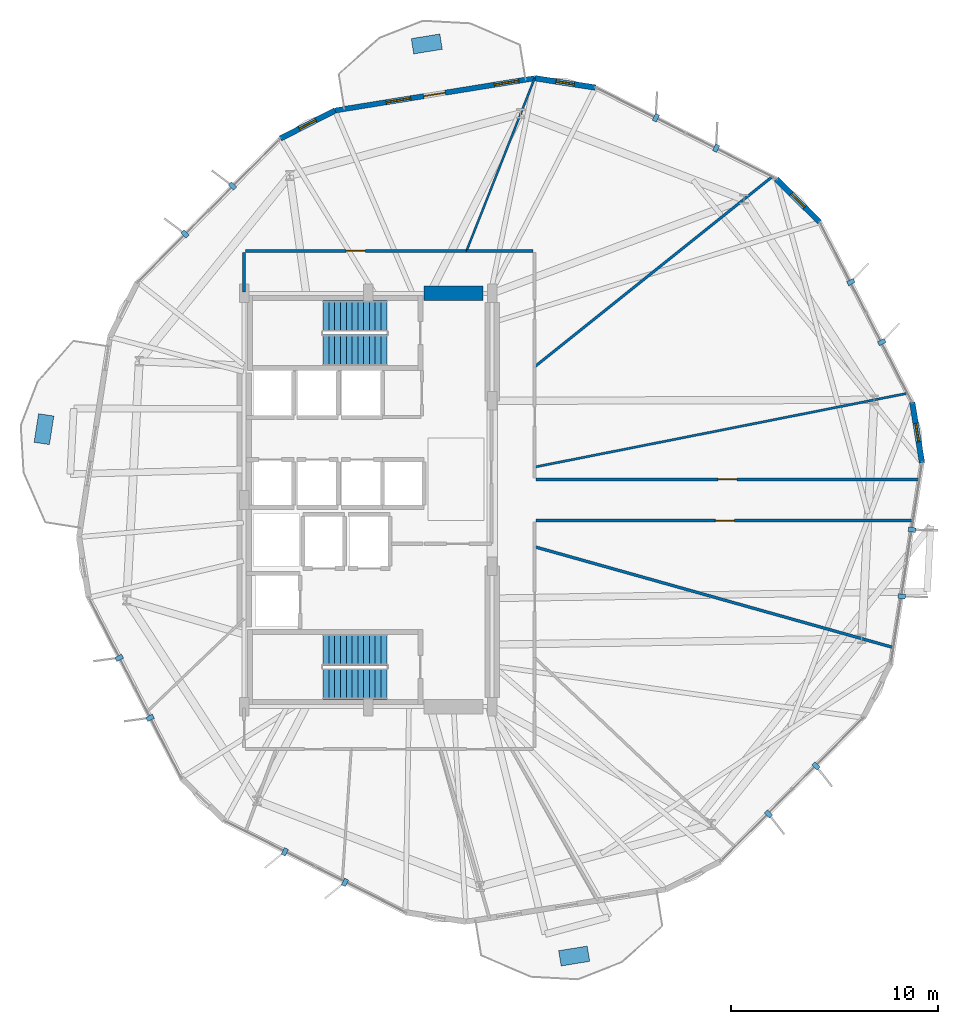
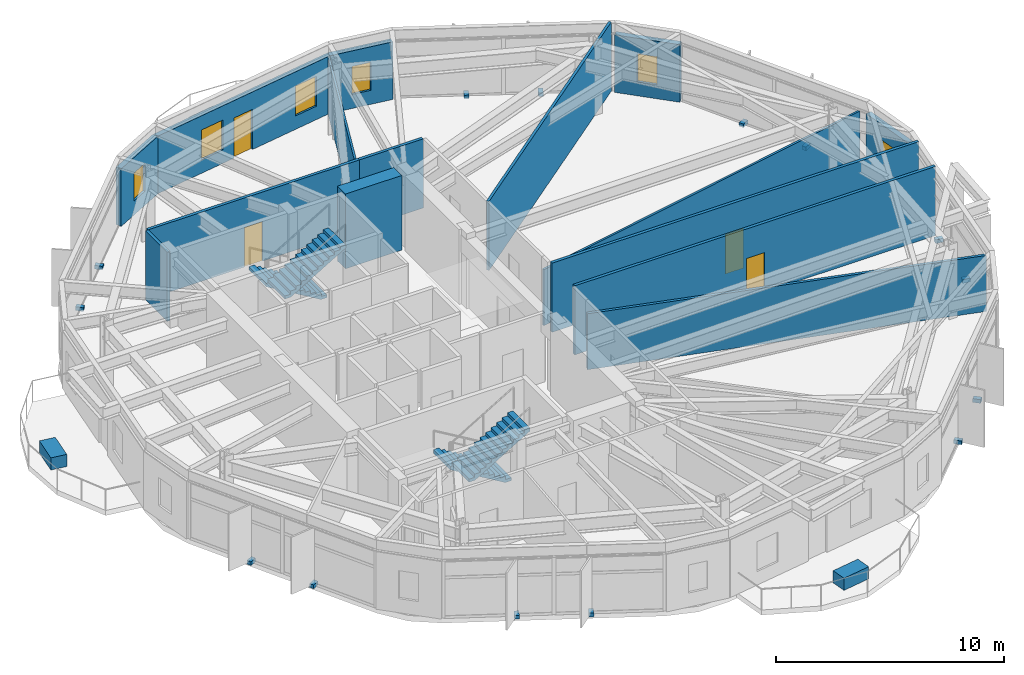
# One storey, part 20 of 23: 17 discrete accessories, 15 walls, 6 windows, 4 doors, 4 stair flights, 10 openings, 2 elements without a shape of their own.
"""IFC4 building model written with IfcOpenShell, lengths in metres."""

from ifc_helpers import new_model, si_unit, direction, frame, frame_2d, origin, origin_2d, place, context, subcontext, project, spatial, polyline, rectangle, outline, extrude, material, layer, layer_set, type_object, element, fill, aggregate, save


model = new_model("IFC4")

# Units and contexts
model_context = context("Model", 3, precision=1e-05, world=origin(), true_north=direction((0.0, 1.0)))
body_context = subcontext(model_context, "Body", "Model", "MODEL_VIEW")
ifc_project = project(units=[si_unit("LENGTHUNIT", "METRE"), si_unit("AREAUNIT", "SQUARE_METRE"), si_unit("VOLUMEUNIT", "CUBIC_METRE"), si_unit("PLANEANGLEUNIT", "RADIAN"), si_unit("MASSUNIT", "GRAM", prefix="KILO")], contexts=[model_context])

# Site, building, storey
site_placement = place(None, origin())
site = spatial("IfcSite", under=ifc_project, at=site_placement, CompositionType="ELEMENT")
building_placement = place(site_placement, origin())
building = spatial("IfcBuilding", under=site, at=building_placement, Name="Soratama Intermodal Tower", CompositionType="ELEMENT")
storey_placement = place(building_placement, frame((0.0, 0.0, 62.60009765625)))
storey = spatial("IfcBuildingStorey", under=building, at=storey_placement, Name="L14", CompositionType="ELEMENT", Elevation=62.60009765625)

# Wall, openings, door, windows
ifc_material_1 = material(Name="Concrete f'c 42 MPa", Category="concrete")
ifc_layer_1 = layer(ifc_material_1, 0.25)
ifc_layer_set_1 = layer_set([ifc_layer_1], Name="Concrete f'c 42 MPa")
wall_type_1 = type_object("IfcWallType", Name="EW-BAL-250", PredefinedType="SOLIDWALL", material=ifc_layer_set_1)
wall_1_placement = place(storey_placement, frame((46.66552734375, 45.40771484375, 0.0), z_axis=(0.0, 0.0, 1.0), x_axis=(-0.987191297579, -0.159541035424, 0.0)))
wall_1 = element("IfcWall", 1, at=wall_1_placement, inside=storey, type_object=wall_type_1, Name="L14 Terrace Wall F03", PredefinedType="SOLIDWALL", context=body_context, shape_type="SweptSolid", body=[
    extrude(rectangle(XDim=9.7998046875, YDim=0.25, at=frame_2d((4.89990234375, 0.0))), origin(), (0.0, 0.0, 1.0), 3.078857421875),
])
opening_1_placement = place(wall_1_placement, frame((4.39990234375, 0.0, 0.0)))
opening_1 = element("IfcOpeningElement", 2, at=opening_1_placement, cuts=wall_1, Name="Opening ED-5", PredefinedType="OPENING", context=body_context, shape_type="SweptSolid", body=[
    extrude(rectangle(XDim=1.050048828125, YDim=2.14990234375, at=frame_2d((0.52490234375, 1.074951171875))), frame((0.0, 0.135009765625, 0.0), z_axis=(0.0, -1.0, 0.0), x_axis=(1.0, 0.0, 0.0)), (0.0, 0.0, 1.0), 0.27001953125),
])
opening_2_placement = place(wall_1_placement, frame((0.793212890625, 0.0, 0.719970703125)))
opening_2 = element("IfcOpeningElement", 3, at=opening_2_placement, cuts=wall_1, Name="Opening WN-2", PredefinedType="OPENING", context=body_context, shape_type="SweptSolid", body=[
    extrude(rectangle(XDim=1.199951171875, YDim=1.60009765625, at=frame_2d((0.60009765625, 0.800048828125))), frame((0.0, 0.135009765625, 0.0), z_axis=(0.0, -1.0, 0.0), x_axis=(1.0, 0.0, 0.0)), (0.0, 0.0, 1.0), 0.27001953125),
])
opening_3_placement = place(wall_1_placement, frame((6.090087890625, 0.0, 0.719970703125)))
opening_3 = element("IfcOpeningElement", 4, at=opening_3_placement, cuts=wall_1, Name="Opening WN-2", PredefinedType="OPENING", context=body_context, shape_type="SweptSolid", body=[
    extrude(rectangle(XDim=1.199951171875, YDim=1.60009765625, at=frame_2d((0.60009765625, 0.800048828125))), frame((0.0, 0.135009765625, 0.0), z_axis=(0.0, -1.0, 0.0), x_axis=(1.0, 0.0, 0.0)), (0.0, 0.0, 1.0), 0.27001953125),
])
ifc_material_2 = material(Name="Double-glazed aluminium door", Category="aluminium")
door_type_1 = type_object("IfcDoorType", Name="DR-BAL-1050", OperationType="NOTDEFINED", PredefinedType="DOOR", material=ifc_material_2)
door_1_placement = place(opening_1_placement, origin())
door_1 = element("IfcDoor", 5, at=door_1_placement, inside=storey, type_object=door_type_1, Name="L14 Balcony Door F03", OperationType="SINGLE_SWING_LEFT", OverallHeight=2.14990234375, OverallWidth=1.050048828125, PredefinedType="DOOR", context=body_context, shape_type="SweptSolid", body=[
    extrude(rectangle(XDim=1.050048828125, YDim=2.14990234375, at=frame_2d((0.52490234375, 1.074951171875))), frame((0.0, 0.02490234375, 0.0), z_axis=(0.0, -1.0, 0.0), x_axis=(1.0, 0.0, 0.0)), (0.0, 0.0, 1.0), 0.050048828125),
])
fill(opening_1, door_1)
ifc_material_3 = material(Name="Double-glazed aluminium window", Category="aluminium")
window_type_1 = type_object("IfcWindowType", Name="WN-FAC-1200", PartitioningType="SINGLE_PANEL", PredefinedType="WINDOW", material=ifc_material_3)
window_1_placement = place(opening_2_placement, origin())
window_1 = element("IfcWindow", 6, at=window_1_placement, inside=storey, type_object=window_type_1, Name="L14 Window A F03", OverallHeight=1.60009765625, OverallWidth=1.199951171875, PartitioningType="SINGLE_PANEL", PredefinedType="WINDOW", context=body_context, shape_type="SweptSolid", body=[
    extrude(rectangle(XDim=1.199951171875, YDim=1.60009765625, at=frame_2d((0.60009765625, 0.800048828125))), frame((0.0, 0.030029296875, 0.0), z_axis=(0.0, -1.0, 0.0), x_axis=(1.0, 0.0, 0.0)), (0.0, 0.0, 1.0), 0.06005859375),
])
fill(opening_2, window_1)
window_2_placement = place(opening_3_placement, origin())
window_2 = element("IfcWindow", 7, at=window_2_placement, inside=storey, type_object=window_type_1, Name="L14 Window B F03", OverallHeight=1.60009765625, OverallWidth=1.199951171875, PartitioningType="SINGLE_PANEL", PredefinedType="WINDOW", context=body_context, shape_type="SweptSolid", body=[
    extrude(rectangle(XDim=1.199951171875, YDim=1.60009765625, at=frame_2d((0.60009765625, 0.800048828125))), frame((0.0, 0.030029296875, 0.0), z_axis=(0.0, -1.0, 0.0), x_axis=(1.0, 0.0, 0.0)), (0.0, 0.0, 1.0), 0.06005859375),
])
fill(opening_3, window_2)

# Wall, opening, window
ifc_material_4 = material(Name="Concrete f'c 42 MPa", Category="concrete")
ifc_layer_2 = layer(ifc_material_4, 0.27001953125)
ifc_layer_set_2 = layer_set([ifc_layer_2], Name="Concrete f'c 42 MPa")
wall_type_2 = type_object("IfcWallType", Name="EW-CRN-270", PredefinedType="SOLIDWALL", material=ifc_layer_set_2)
wall_2_placement = place(storey_placement, frame((60.447021484375, 38.440185546875, 0.0), z_axis=(0.0, 0.0, 1.0), x_axis=(-0.709325332319, 0.704881247396, 0.0)))
wall_2 = element("IfcWall", 8, at=wall_2_placement, inside=storey, type_object=wall_type_2, Name="L14 Corner Closure Wall 01", PredefinedType="SOLIDWALL", context=body_context, shape_type="SweptSolid", body=[
    extrude(rectangle(XDim=2.966552734375, YDim=0.27001953125, at=frame_2d((1.4833984375, 0.0))), origin(), (0.0, 0.0, 1.0), 3.078857421875),
])
opening_4_placement = place(wall_2_placement, frame((1.033203125, 0.0, 0.75)))
opening_4 = element("IfcOpeningElement", 9, at=opening_4_placement, cuts=wall_2, Name="Opening WN-6", PredefinedType="OPENING", context=body_context, shape_type="SweptSolid", body=[
    extrude(rectangle(XDim=0.89990234375, YDim=1.5, at=frame_2d((0.449951171875, 0.75))), frame((0.0, 0.14501953125, 0.0), z_axis=(0.0, -1.0, 0.0), x_axis=(1.0, 0.0, 0.0)), (0.0, 0.0, 1.0), 0.2900390625),
])
ifc_material_5 = material(Name="Double-glazed aluminium window", Category="aluminium")
window_type_2 = type_object("IfcWindowType", Name="WN-FAC-900", PartitioningType="SINGLE_PANEL", PredefinedType="WINDOW", material=ifc_material_5)
window_3_placement = place(opening_4_placement, origin())
window_3 = element("IfcWindow", 10, at=window_3_placement, inside=storey, type_object=window_type_2, Name="L14 Corner Window 01", OverallHeight=1.5, OverallWidth=0.89990234375, PartitioningType="SINGLE_PANEL", PredefinedType="WINDOW", context=body_context, shape_type="SweptSolid", body=[
    extrude(rectangle(XDim=0.89990234375, YDim=1.5, at=frame_2d((0.449951171875, 0.75))), frame((0.0, 0.030029296875, 0.0), z_axis=(0.0, -1.0, 0.0), x_axis=(1.0, 0.0, 0.0)), (0.0, 0.0, 1.0), 0.06005859375),
])
fill(opening_4, window_3)

wall_3_placement = place(storey_placement, frame((49.596923828125, 44.952880859375, 0.0), z_axis=(0.0, 0.0, 1.0), x_axis=(-0.988175838345, 0.153324859402, 0.0)))
wall_3 = element("IfcWall", 11, at=wall_3_placement, inside=storey, type_object=wall_type_2, Name="L14 Corner Closure Wall 02", PredefinedType="SOLIDWALL", context=body_context, shape_type="SweptSolid", body=[
    extrude(rectangle(XDim=2.966552734375, YDim=0.27001953125, at=frame_2d((1.4833984375, 0.0))), origin(), (0.0, 0.0, 1.0), 3.078857421875),
])
opening_5_placement = place(wall_3_placement, frame((1.033203125, 0.0, 0.75)))
opening_5 = element("IfcOpeningElement", 12, at=opening_5_placement, cuts=wall_3, Name="Opening WN-6", PredefinedType="OPENING", context=body_context, shape_type="SweptSolid", body=[
    extrude(rectangle(XDim=0.89990234375, YDim=1.5, at=frame_2d((0.449951171875, 0.75))), frame((0.0, 0.14501953125, 0.0), z_axis=(0.0, -1.0, 0.0), x_axis=(1.0, 0.0, 0.0)), (0.0, 0.0, 1.0), 0.2900390625),
])
window_4_placement = place(opening_5_placement, origin())
window_4 = element("IfcWindow", 13, at=window_4_placement, inside=storey, type_object=window_type_2, Name="L14 Corner Window 02", OverallHeight=1.5, OverallWidth=0.89990234375, PartitioningType="SINGLE_PANEL", PredefinedType="WINDOW", context=body_context, shape_type="SweptSolid", body=[
    extrude(rectangle(XDim=0.89990234375, YDim=1.5, at=frame_2d((0.449951171875, 0.75))), frame((0.0, 0.030029296875, 0.0), z_axis=(0.0, -1.0, 0.0), x_axis=(1.0, 0.0, 0.0)), (0.0, 0.0, 1.0), 0.06005859375),
])
fill(opening_5, window_4)

wall_4_placement = place(storey_placement, frame((36.9912109375, 43.84423828125, 0.0), z_axis=(0.0, 0.0, 1.0), x_axis=(-0.889603167839, -0.456734281361, 0.0)))
wall_4 = element("IfcWall", 14, at=wall_4_placement, inside=storey, type_object=wall_type_2, Name="L14 Corner Closure Wall 03", PredefinedType="SOLIDWALL", context=body_context, shape_type="SweptSolid", body=[
    extrude(rectangle(XDim=2.966552734375, YDim=0.27001953125, at=frame_2d((1.4833984375, 0.0))), origin(), (0.0, 0.0, 1.0), 3.078857421875),
])
opening_6_placement = place(wall_4_placement, frame((1.033203125, 0.0, 0.75)))
opening_6 = element("IfcOpeningElement", 15, at=opening_6_placement, cuts=wall_4, Name="Opening WN-6", PredefinedType="OPENING", context=body_context, shape_type="SweptSolid", body=[
    extrude(rectangle(XDim=0.89990234375, YDim=1.5, at=frame_2d((0.449951171875, 0.75))), frame((0.0, 0.14501953125, 0.0), z_axis=(0.0, -1.0, 0.0), x_axis=(1.0, 0.0, 0.0)), (0.0, 0.0, 1.0), 0.2900390625),
])
window_5_placement = place(opening_6_placement, origin())
window_5 = element("IfcWindow", 16, at=window_5_placement, inside=storey, type_object=window_type_2, Name="L14 Corner Window 03", OverallHeight=1.5, OverallWidth=0.89990234375, PartitioningType="SINGLE_PANEL", PredefinedType="WINDOW", context=body_context, shape_type="SweptSolid", body=[
    extrude(rectangle(XDim=0.89990234375, YDim=1.5, at=frame_2d((0.449951171875, 0.75))), frame((0.0, 0.030029296875, 0.0), z_axis=(0.0, -1.0, 0.0), x_axis=(1.0, 0.0, 0.0)), (0.0, 0.0, 1.0), 0.06005859375),
])
fill(opening_6, window_5)

wall_5_placement = place(storey_placement, frame((65.396728515625, 26.793701171875, 0.0), z_axis=(0.0, 0.0, 1.0), x_axis=(-0.159485992922, 0.987200191482, 0.0)))
wall_5 = element("IfcWall", 17, at=wall_5_placement, inside=storey, type_object=wall_type_2, Name="L14 Corner Closure Wall 10", PredefinedType="SOLIDWALL", context=body_context, shape_type="SweptSolid", body=[
    extrude(rectangle(XDim=2.966796875, YDim=0.27001953125, at=frame_2d((1.4833984375, 0.0))), origin(), (0.0, 0.0, 1.0), 3.078857421875),
])
opening_7_placement = place(wall_5_placement, frame((1.033203125, 0.0, 0.75)))
opening_7 = element("IfcOpeningElement", 18, at=opening_7_placement, cuts=wall_5, Name="Opening WN-6", PredefinedType="OPENING", context=body_context, shape_type="SweptSolid", body=[
    extrude(rectangle(XDim=0.89990234375, YDim=1.5, at=frame_2d((0.449951171875, 0.75))), frame((0.0, 0.14501953125, 0.0), z_axis=(0.0, -1.0, 0.0), x_axis=(1.0, 0.0, 0.0)), (0.0, 0.0, 1.0), 0.2900390625),
])
window_6_placement = place(opening_7_placement, origin())
window_6 = element("IfcWindow", 19, at=window_6_placement, inside=storey, type_object=window_type_2, Name="L14 Corner Window 10", OverallHeight=1.5, OverallWidth=0.89990234375, PartitioningType="SINGLE_PANEL", PredefinedType="WINDOW", context=body_context, shape_type="SweptSolid", body=[
    extrude(rectangle(XDim=0.89990234375, YDim=1.5, at=frame_2d((0.449951171875, 0.75))), frame((0.0, 0.030029296875, 0.0), z_axis=(0.0, -1.0, 0.0), x_axis=(1.0, 0.0, 0.0)), (0.0, 0.0, 1.0), 0.06005859375),
])
fill(opening_7, window_6)

# Wall, opening, door
ifc_material_6 = material(Name="Fire-rated gypsum stud partition", Category="concrete")
ifc_layer_3 = layer(ifc_material_6, 0.14990234375)
ifc_layer_set_3 = layer_set([ifc_layer_3], Name="Fire-rated gypsum stud partition")
wall_type_3 = type_object("IfcWallType", Name="IW-PART-R150", PredefinedType="PARTITIONING", material=ifc_layer_set_3)
wall_6_placement = place(storey_placement, frame((46.719970703125, 26.0, 0.0), z_axis=(0.0, 0.0, 1.0), x_axis=(1.0, 0.0, 0.0)))
wall_6 = element("IfcWall", 20, at=wall_6_placement, inside=storey, type_object=wall_type_3, Name="L14 Partition W-L14-TP001", PredefinedType="PARTITIONING", context=body_context, shape_type="SweptSolid", body=[
    extrude(rectangle(XDim=18.553955078125, YDim=0.14990234375, at=frame_2d((9.27685546875, 0.0))), origin(), (0.0, 0.0, 1.0), 3.699951171875),
])
opening_8_placement = place(wall_6_placement, frame((8.802001953125, 0.0, 0.0)))
opening_8 = element("IfcOpeningElement", 21, at=opening_8_placement, cuts=wall_6, Name="Opening ID-6", PredefinedType="OPENING", context=body_context, shape_type="SweptSolid", body=[
    extrude(rectangle(XDim=0.919921875, YDim=2.1201171875, at=frame_2d((0.4599609375, 1.06005859375))), frame((0.0, 0.0849609375, 0.0), z_axis=(0.0, -1.0, 0.0), x_axis=(1.0, 0.0, 0.0)), (0.0, 0.0, 1.0), 0.169921875),
])
ifc_material_7 = material(Name="Solid hardwood acoustic door", Category="wood")
door_type_2 = type_object("IfcDoorType", Name="DR-ROOM-920", OperationType="NOTDEFINED", PredefinedType="DOOR", material=ifc_material_7)
door_2_placement = place(opening_8_placement, origin())
door_2 = element("IfcDoor", 22, at=door_2_placement, inside=storey, type_object=door_type_2, Name="L14 Door D-L14-TP001", OperationType="SINGLE_SWING_RIGHT", OverallHeight=2.1201171875, OverallWidth=0.919921875, PredefinedType="DOOR", context=body_context, shape_type="SweptSolid", body=[
    extrude(rectangle(XDim=0.919921875, YDim=2.1201171875, at=frame_2d((0.4599609375, 1.06005859375))), frame((0.0, 0.02490234375, 0.0), z_axis=(0.0, -1.0, 0.0), x_axis=(1.0, 0.0, 0.0)), (0.0, 0.0, 1.0), 0.050048828125),
])
fill(opening_8, door_2)

wall_7_placement = place(storey_placement, frame((64.962890625, 24.0, 0.0), z_axis=(0.0, 0.0, 1.0), x_axis=(-1.0, 0.0, 0.0)))
wall_7 = element("IfcWall", 23, at=wall_7_placement, inside=storey, type_object=wall_type_3, Name="L14 Partition W-L14-TP003", PredefinedType="PARTITIONING", context=body_context, shape_type="SweptSolid", body=[
    extrude(rectangle(XDim=18.242919921875, YDim=0.14990234375, at=frame_2d((9.12158203125, 0.0))), origin(), (0.0, 0.0, 1.0), 3.699951171875),
])
opening_9_placement = place(wall_7_placement, frame((8.64599609375, 0.0, 0.0)))
opening_9 = element("IfcOpeningElement", 24, at=opening_9_placement, cuts=wall_7, Name="Opening ID-6", PredefinedType="OPENING", context=body_context, shape_type="SweptSolid", body=[
    extrude(rectangle(XDim=0.919921875, YDim=2.1201171875, at=frame_2d((0.4599609375, 1.06005859375))), frame((0.0, 0.0849609375, 0.0), z_axis=(0.0, -1.0, 0.0), x_axis=(1.0, 0.0, 0.0)), (0.0, 0.0, 1.0), 0.169921875),
])
door_3_placement = place(opening_9_placement, origin())
door_3 = element("IfcDoor", 25, at=door_3_placement, inside=storey, type_object=door_type_2, Name="L14 Door D-L14-TP002", OperationType="SINGLE_SWING_LEFT", OverallHeight=2.1201171875, OverallWidth=0.919921875, PredefinedType="DOOR", context=body_context, shape_type="SweptSolid", body=[
    extrude(rectangle(XDim=0.919921875, YDim=2.1201171875, at=frame_2d((0.4599609375, 1.06005859375))), frame((0.0, 0.02490234375, 0.0), z_axis=(0.0, -1.0, 0.0), x_axis=(1.0, 0.0, 0.0)), (0.0, 0.0, 1.0), 0.050048828125),
])
fill(opening_9, door_3)

wall_8_placement = place(storey_placement, frame((32.669921875, 37.050048828125, 0.0), z_axis=(0.0, 0.0, 1.0), x_axis=(1.0, 0.0, 0.0)))
wall_8 = element("IfcWall", 26, at=wall_8_placement, inside=storey, type_object=wall_type_3, Name="L14 Partition W-L14-TP007", PredefinedType="PARTITIONING", context=body_context, shape_type="SweptSolid", body=[
    extrude(rectangle(XDim=10.68603515625, YDim=0.14990234375, at=frame_2d((5.343017578125, 0.0))), origin(), (0.0, 0.0, 1.0), 3.699951171875),
])
opening_10_placement = place(wall_8_placement, frame((4.867919921875, 0.0, 0.0)))
opening_10 = element("IfcOpeningElement", 27, at=opening_10_placement, cuts=wall_8, Name="Opening ID-6", PredefinedType="OPENING", context=body_context, shape_type="SweptSolid", body=[
    extrude(rectangle(XDim=0.919921875, YDim=2.1201171875, at=frame_2d((0.4599609375, 1.06005859375))), frame((0.0, 0.0849609375, 0.0), z_axis=(0.0, -1.0, 0.0), x_axis=(1.0, 0.0, 0.0)), (0.0, 0.0, 1.0), 0.169921875),
])
door_4_placement = place(opening_10_placement, origin())
door_4 = element("IfcDoor", 28, at=door_4_placement, inside=storey, type_object=door_type_2, Name="L14 Door D-L14-TP003", OperationType="SINGLE_SWING_RIGHT", OverallHeight=2.1201171875, OverallWidth=0.919921875, PredefinedType="DOOR", context=body_context, shape_type="SweptSolid", body=[
    extrude(rectangle(XDim=0.919921875, YDim=2.1201171875, at=frame_2d((0.4599609375, 1.06005859375))), frame((0.0, 0.02490234375, 0.0), z_axis=(0.0, -1.0, 0.0), x_axis=(1.0, 0.0, 0.0)), (0.0, 0.0, 1.0), 0.050048828125),
])
fill(opening_10, door_4)

# Walls
wall_9_placement = place(storey_placement, frame((43.35595703125, 37.050048828125, 0.0), z_axis=(0.0, 0.0, 1.0), x_axis=(1.0, 0.0, 0.0)))
element("IfcWall", 29, at=wall_9_placement, inside=storey, type_object=wall_type_3, Name="L14 Partition W-L14-TP023", PredefinedType="PARTITIONING", context=body_context, shape_type="SweptSolid", body=[
    extrude(rectangle(XDim=3.22412109375, YDim=0.14990234375, at=frame_2d((1.612060546875, 0.0))), origin(), (0.0, 0.0, 1.0), 3.699951171875),
])
wall_10_placement = place(storey_placement, frame((32.60009765625, 35.070068359375, 0.0), z_axis=(0.0, 0.0, 1.0), x_axis=(0.0, 1.0, 0.0)))
element("IfcWall", 30, at=wall_10_placement, inside=storey, type_object=wall_type_3, Name="L14 Partition W-L14-TP026", PredefinedType="PARTITIONING", context=body_context, shape_type="SweptSolid", body=[
    extrude(rectangle(XDim=1.909912109375, YDim=0.14990234375, at=frame_2d((0.955078125, 0.0))), origin(), (0.0, 0.0, 1.0), 3.699951171875),
])
ifc_material_8 = material(Name="Fire-rated gypsum stud partition", Category="concrete")
ifc_layer_4 = layer(ifc_material_8, 0.10009765625)
ifc_layer_set_4 = layer_set([ifc_layer_4], Name="Fire-rated gypsum stud partition")
wall_type_4 = type_object("IfcWallType", Name="IW-PART-S100", PredefinedType="PARTITIONING", material=ifc_layer_set_4)
wall_11_placement = place(storey_placement, frame((43.35595703125, 37.050048828125, 0.0), z_axis=(0.0, 0.0, 1.0), x_axis=(0.367230883779, 0.930129817821, 0.0)))
element("IfcWall", 31, at=wall_11_placement, inside=storey, type_object=wall_type_4, Name="L14 Partition W-L14-TP008", PredefinedType="PARTITIONING", context=body_context, shape_type="SweptSolid", body=[
    extrude(rectangle(XDim=8.983642578125, YDim=0.10009765625, at=frame_2d((4.49169921875, 0.0))), origin(), (0.0, 0.0, 1.0), 2.994873046875),
])
ifc_material_9 = material(Name="Fire-rated gypsum stud partition", Category="concrete")
ifc_layer_5 = layer(ifc_material_9, 0.110107421875)
ifc_layer_set_5 = layer_set([ifc_layer_5], Name="Fire-rated gypsum stud partition")
wall_type_5 = type_object("IfcWallType", Name="IW-PART-S110", PredefinedType="PARTITIONING", material=ifc_layer_set_5)
wall_12_placement = place(storey_placement, frame((46.64990234375, 26.593017578125, 0.0), z_axis=(0.0, 0.0, 1.0), x_axis=(0.980979806003, 0.194109814835, 0.0)))
element("IfcWall", 32, at=wall_12_placement, inside=storey, type_object=wall_type_5, Name="L14 Partition W-L14-TP002", PredefinedType="PARTITIONING", context=body_context, shape_type="SweptSolid", body=[
    extrude(rectangle(XDim=18.39697265625, YDim=0.110107421875, at=frame_2d((9.198486328125, 0.0))), origin(), (0.0, 0.0, 1.0), 2.994873046875),
])
ifc_material_10 = material(Name="Fire-rated gypsum stud partition", Category="concrete")
ifc_layer_6 = layer(ifc_material_10, 0.1298828125)
ifc_layer_set_6 = layer_set([ifc_layer_6], Name="Fire-rated gypsum stud partition")
wall_type_6 = type_object("IfcWallType", Name="IW-PART-S130", PredefinedType="PARTITIONING", material=ifc_layer_set_6)
wall_13_placement = place(storey_placement, frame((46.64990234375, 31.44189453125, 0.0), z_axis=(0.0, 0.0, 1.0), x_axis=(0.780838051211, 0.624733493405, 0.0)))
element("IfcWall", 33, at=wall_13_placement, inside=storey, type_object=wall_type_6, Name="L14 Partition W-L14-TP005", PredefinedType="PARTITIONING", context=body_context, shape_type="SweptSolid", body=[
    extrude(rectangle(XDim=14.713623046875, YDim=0.1298828125, at=frame_2d((7.35693359375, 0.0))), origin(), (0.0, 0.0, 1.0), 3.699951171875),
])
ifc_material_11 = material(Name="Fire-rated gypsum stud partition", Category="concrete")
ifc_layer_7 = layer(ifc_material_11, 0.139892578125)
ifc_layer_set_7 = layer_set([ifc_layer_7], Name="Fire-rated gypsum stud partition")
wall_type_7 = type_object("IfcWallType", Name="IW-PART-S140", PredefinedType="PARTITIONING", material=ifc_layer_set_7)
wall_14_placement = place(storey_placement, frame((46.64990234375, 22.738037109375, 0.0), z_axis=(0.0, 0.0, 1.0), x_axis=(0.96273546892, -0.270444849983, 0.0)))
element("IfcWall", 34, at=wall_14_placement, inside=storey, type_object=wall_type_7, Name="L14 Partition W-L14-TP004", PredefinedType="PARTITIONING", context=body_context, shape_type="SweptSolid", body=[
    extrude(rectangle(XDim=18.032958984375, YDim=0.139892578125, at=frame_2d((9.0166015625, 0.0))), origin(), (0.0, 0.0, 1.0), 2.994873046875),
])
ifc_material_12 = material(Name="Concrete f'c 56 MPa", Category="concrete")
ifc_layer_8 = layer(ifc_material_12, 0.699951171875)
ifc_layer_set_8 = layer_set([ifc_layer_8], Name="Concrete f'c 56 MPa")
wall_type_8 = type_object("IfcWallType", Name="SW-CORE-700", PredefinedType="SHEAR", material=ifc_layer_set_8)
wall_15_placement = place(storey_placement, frame((41.300048828125, 35.0, 0.0), z_axis=(0.0, 0.0, 1.0), x_axis=(1.0, 0.0, 0.0)))
element("IfcWall", 35, at=wall_15_placement, inside=storey, type_object=wall_type_8, Name="L14 Core Shear Wall CW-NE", PredefinedType="SHEAR", context=body_context, shape_type="SweptSolid", body=[
    extrude(rectangle(XDim=2.849853515625, YDim=0.699951171875, at=frame_2d((1.4248046875, 0.0))), origin(), (0.0, 0.0, 1.0), 4.0),
])

# Stair, stair flights
ifc_material_13 = material(Name="Concrete f'c 42 MPa", Category="concrete")
stair_type = type_object("IfcStairType", Name="ST-CORE-DOGLEG", PredefinedType="HALF_TURN_STAIR", material=ifc_material_13)
stair_1_placement = place(storey_placement, origin())
stair_1 = element("IfcStair", 36, at=stair_1_placement, inside=storey, type_object=stair_type, Name="L14 ST-1", PredefinedType="HALF_TURN_STAIR")
ifc_material_14 = material(Name="Precast concrete f'c 40 MPa", Category="concrete")
ifc_layer_9 = layer(ifc_material_14, 0.199951171875)
ifc_layer_set_9 = layer_set([ifc_layer_9], Name="Precast concrete f'c 40 MPa")
stair_flight_type = type_object("IfcStairFlightType", Name="SF-FLIGHT-RC", PredefinedType="STRAIGHT", material=ifc_layer_set_9)
stair_flight_1_placement = place(storey_placement, frame((39.5, 17.75, 0.0), z_axis=(0.0, 0.0, 1.0), x_axis=(-1.0, 0.0, 0.0)))
stair_flight_1 = element("IfcStairFlight", 37, at=stair_flight_1_placement, type_object=stair_flight_type, Name="ST-1 flight 1", NumberOfRisers=12, NumberOfTreads=11, PredefinedType="STRAIGHT", RiserHeight=0.166666667, TreadLength=0.28, context=body_context, shape_type="SweptSolid", body=[
    extrude(outline(polyline([(0.0, 0.0), (0.0, 0.166748046875), (0.280029296875, 0.166748046875), (0.280029296875, 0.333251953125), (0.56005859375, 0.333251953125), (0.56005859375, 0.5), (0.840087890625, 0.5), (0.840087890625, 0.666748046875), (1.1201171875, 0.666748046875), (1.1201171875, 0.833251953125), (1.39990234375, 0.833251953125), (1.39990234375, 1.0), (1.679931640625, 1.0), (1.679931640625, 1.166748046875), (1.9599609375, 1.166748046875), (1.9599609375, 1.333251953125), (2.239990234375, 1.333251953125), (2.239990234375, 1.5), (2.52001953125, 1.5), (2.52001953125, 1.666748046875), (2.800048828125, 1.666748046875), (2.800048828125, 1.833251953125), (3.080078125, 1.833251953125), (3.080078125, 2.0), (3.080078125, 1.658935546875), (0.29296875, 0.0), (0.0, 0.0)])), frame((0.0, 0.75, 0.0), z_axis=(0.0, -1.0, 0.0), x_axis=(1.0, 0.0, 0.0)), (0.0, 0.0, 1.0), 1.5),
])
stair_flight_2_placement = place(storey_placement, frame((36.419921875, 16.10009765625, 2.0), z_axis=(0.0, 0.0, 1.0), x_axis=(1.0, 0.0, 0.0)))
stair_flight_2 = element("IfcStairFlight", 38, at=stair_flight_2_placement, type_object=stair_flight_type, Name="ST-1 flight 2", NumberOfRisers=12, NumberOfTreads=11, PredefinedType="STRAIGHT", RiserHeight=0.166666667, TreadLength=0.28, context=body_context, shape_type="SweptSolid", body=[
    extrude(outline(polyline([(0.0, 0.0), (0.0, 0.166748046875), (0.280029296875, 0.166748046875), (0.280029296875, 0.333251953125), (0.56005859375, 0.333251953125), (0.56005859375, 0.5), (0.840087890625, 0.5), (0.840087890625, 0.666748046875), (1.1201171875, 0.666748046875), (1.1201171875, 0.833251953125), (1.39990234375, 0.833251953125), (1.39990234375, 1.0), (1.679931640625, 1.0), (1.679931640625, 1.166748046875), (1.9599609375, 1.166748046875), (1.9599609375, 1.333251953125), (2.239990234375, 1.333251953125), (2.239990234375, 1.5), (2.52001953125, 1.5), (2.52001953125, 1.666748046875), (2.800048828125, 1.666748046875), (2.800048828125, 1.833251953125), (3.080078125, 1.833251953125), (3.080078125, 2.0), (3.080078125, 1.658935546875), (0.29296875, 0.0), (0.0, 0.0)])), frame((0.0, 0.75, 0.0), z_axis=(0.0, -1.0, 0.0), x_axis=(1.0, 0.0, 0.0)), (0.0, 0.0, 1.0), 1.5),
])
aggregate(stair_1, [stair_flight_1, stair_flight_2])

stair_2_placement = place(storey_placement, origin())
stair_2 = element("IfcStair", 39, at=stair_2_placement, inside=storey, type_object=stair_type, Name="L14 ST-2", PredefinedType="HALF_TURN_STAIR")
stair_flight_3_placement = place(storey_placement, frame((39.5, 33.89990234375, 0.0), z_axis=(0.0, 0.0, 1.0), x_axis=(-1.0, 0.0, 0.0)))
stair_flight_3 = element("IfcStairFlight", 40, at=stair_flight_3_placement, type_object=stair_flight_type, Name="ST-2 flight 1", NumberOfRisers=12, NumberOfTreads=11, PredefinedType="STRAIGHT", RiserHeight=0.166666667, TreadLength=0.28, context=body_context, shape_type="SweptSolid", body=[
    extrude(outline(polyline([(0.0, 0.0), (0.0, 0.166748046875), (0.280029296875, 0.166748046875), (0.280029296875, 0.333251953125), (0.56005859375, 0.333251953125), (0.56005859375, 0.5), (0.840087890625, 0.5), (0.840087890625, 0.666748046875), (1.1201171875, 0.666748046875), (1.1201171875, 0.833251953125), (1.39990234375, 0.833251953125), (1.39990234375, 1.0), (1.679931640625, 1.0), (1.679931640625, 1.166748046875), (1.9599609375, 1.166748046875), (1.9599609375, 1.333251953125), (2.239990234375, 1.333251953125), (2.239990234375, 1.5), (2.52001953125, 1.5), (2.52001953125, 1.666748046875), (2.800048828125, 1.666748046875), (2.800048828125, 1.833251953125), (3.080078125, 1.833251953125), (3.080078125, 2.0), (3.080078125, 1.658935546875), (0.29296875, 0.0), (0.0, 0.0)])), frame((0.0, 0.75, 0.0), z_axis=(0.0, -1.0, 0.0), x_axis=(1.0, 0.0, 0.0)), (0.0, 0.0, 1.0), 1.5),
])
stair_flight_4_placement = place(storey_placement, frame((36.419921875, 32.25, 2.0), z_axis=(0.0, 0.0, 1.0), x_axis=(1.0, 0.0, 0.0)))
stair_flight_4 = element("IfcStairFlight", 41, at=stair_flight_4_placement, type_object=stair_flight_type, Name="ST-2 flight 2", NumberOfRisers=12, NumberOfTreads=11, PredefinedType="STRAIGHT", RiserHeight=0.166666667, TreadLength=0.28, context=body_context, shape_type="SweptSolid", body=[
    extrude(outline(polyline([(0.0, 0.0), (0.0, 0.166748046875), (0.280029296875, 0.166748046875), (0.280029296875, 0.333251953125), (0.56005859375, 0.333251953125), (0.56005859375, 0.5), (0.840087890625, 0.5), (0.840087890625, 0.666748046875), (1.1201171875, 0.666748046875), (1.1201171875, 0.833251953125), (1.39990234375, 0.833251953125), (1.39990234375, 1.0), (1.679931640625, 1.0), (1.679931640625, 1.166748046875), (1.9599609375, 1.166748046875), (1.9599609375, 1.333251953125), (2.239990234375, 1.333251953125), (2.239990234375, 1.5), (2.52001953125, 1.5), (2.52001953125, 1.666748046875), (2.800048828125, 1.666748046875), (2.800048828125, 1.833251953125), (3.080078125, 1.833251953125), (3.080078125, 2.0), (3.080078125, 1.658935546875), (0.29296875, 0.0), (0.0, 0.0)])), frame((0.0, 0.75, 0.0), z_axis=(0.0, -1.0, 0.0), x_axis=(1.0, 0.0, 0.0)), (0.0, 0.0, 1.0), 1.5),
])
aggregate(stair_2, [stair_flight_3, stair_flight_4])

# Discrete accessories
ifc_material_15 = material(Name="Structural steel ASTM A992 Grade 50", Category="steel")
discrete_accessory_type_1 = type_object("IfcDiscreteAccessoryType", Name="AC-FIN-BRACKET", PredefinedType="BRACKET", material=ifc_material_15)
for number, where, z_axis, x_axis, name in (
    (42, (63.44921875, 32.637451171875, -0.080078125), (0.0, 0.0, 1.0), (0.889575876378, 0.456787434334, 0.0), "L14 Fin Bracket F01-1"),
    (43, (61.95703125, 35.543212890625, -0.080078125), (0.0, 0.0, 1.0), (0.889575876378, 0.456787434334, 0.0), "L14 Fin Bracket F01-2"),
    (44, (55.4365234375, 42.02294921875, -0.080078125), (0.0, 0.0, 1.0), (0.451189084442, 0.892428378124, 0.0), "L14 Fin Bracket F02-1"),
    (45, (52.521240234375, 43.496826171875, -0.080078125), (0.0, 0.0, 1.0), (0.451189084442, 0.892428378124, 0.0), "L14 Fin Bracket F02-2"),
    (46, (32.035400390625, 40.186279296875, -0.080078125), (0.0, 0.0, 1.0), (-0.709324729572, 0.704881853942, 0.0), "L14 Fin Bracket F04-1"),
    (47, (29.732666015625, 37.868896484375, -0.080078125), (0.0, 0.0, 1.0), (-0.709324729572, 0.704881853942, 0.0), "L14 Fin Bracket F04-2"),
    (48, (26.55078125, 17.362548828125, -0.080078125), (0.0, 0.0, 1.0), (-0.889575876378, -0.456787434334, 0.0), "L14 Fin Bracket F06-1"),
    (49, (28.04296875, 14.456787109375, -0.080078125), (0.0, 0.0, 1.0), (-0.889575876378, -0.456787434334, 0.0), "L14 Fin Bracket F06-2"),
    (50, (34.5634765625, 7.97705078125, -0.080078125), (0.0, 0.0, 1.0), (-0.451189084442, -0.892428378124, 0.0), "L14 Fin Bracket F07-1"),
    (51, (37.478759765625, 6.503173828125, -0.080078125), (0.0, 0.0, 1.0), (-0.451189084442, -0.892428378124, 0.0), "L14 Fin Bracket F07-2"),
    (52, (57.964599609375, 9.813720703125, -0.080078125), (0.0, 0.0, 1.0), (0.709324729572, -0.704881853942, 0.0), "L14 Fin Bracket F09-1"),
    (53, (60.267333984375, 12.131103515625, -0.080078125), (0.0, 0.0, 1.0), (0.709324729572, -0.704881853942, 0.0), "L14 Fin Bracket F09-2"),
    (54, (64.414794921875, 20.334716796875, -0.080078125), (0.0, 0.0, 1.0), (0.98817491911, -0.153330783737, 0.0), "L14 Fin Bracket F10-1"),
    (55, (64.915771484375, 23.5625, -0.080078125), (0.0, 0.0, 1.0), (0.98817491911, -0.153330783737, 0.0), "L14 Fin Bracket F10-2"),
):
    element("IfcDiscreteAccessory", number, at=place(storey_placement, frame(where, z_axis=z_axis, x_axis=x_axis)), inside=storey, type_object=discrete_accessory_type_1, Name=name, PredefinedType="BRACKET", context=body_context, shape_type="SweptSolid", body=[
        extrude(rectangle(XDim=0.360107421875, YDim=0.219970703125, at=origin_2d()), origin(), (0.0, 0.0, 1.0), 0.199951171875),
    ])
ifc_material_16 = material(Name="Precast concrete f'c 40 MPa", Category="concrete")
discrete_accessory_type_2 = type_object("IfcDiscreteAccessoryType", Name="AC-PLANTER-TREE", PredefinedType="USERDEFINED", material=ifc_material_16)
for number, where, z_axis, x_axis, name in (
    (56, (41.43408203125, 47.064208984375, 0.0), (0.0, 0.0, 1.0), (-0.159536602398, 0.987192013995, 0.0), "L14 Tree Planter 1"),
    (57, (22.913818359375, 28.427001953125, 0.0), (0.0, 0.0, 1.0), (-0.98817491911, 0.153330783737, 0.0), "L14 Tree Planter 2"),
    (58, (48.56591796875, 2.935791015625, 0.0), (0.0, 0.0, 1.0), (0.159536602398, -0.987192013995, 0.0), "L14 Tree Planter 3"),
):
    element("IfcDiscreteAccessory", number, at=place(storey_placement, frame(where, z_axis=z_axis, x_axis=x_axis)), inside=storey, type_object=discrete_accessory_type_2, Name=name, ObjectType="PLANTER", PredefinedType="USERDEFINED", context=body_context, shape_type="SweptSolid", body=[
        extrude(rectangle(XDim=0.75, YDim=1.39990234375, at=origin_2d()), origin(), (0.0, 0.0, 1.0), 0.64990234375),
    ])

save(model, "model.ifc")
